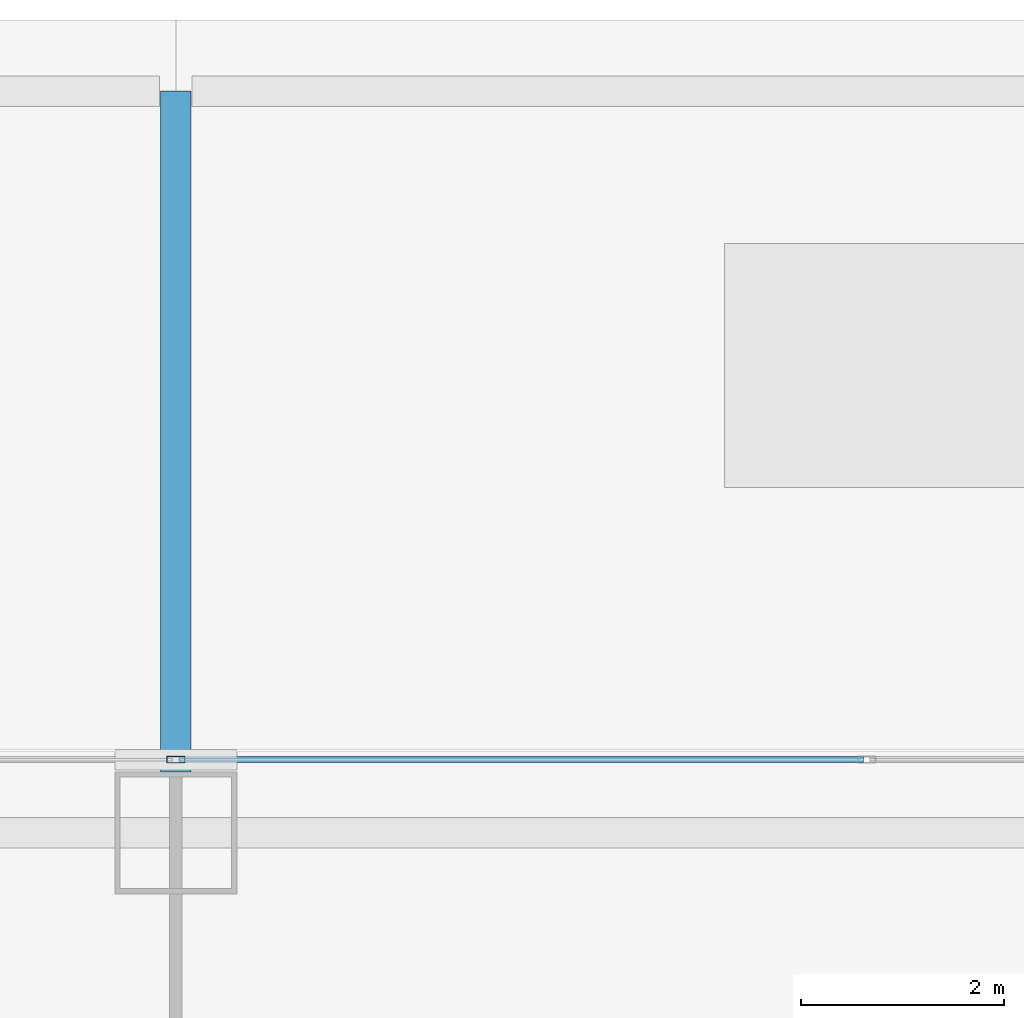
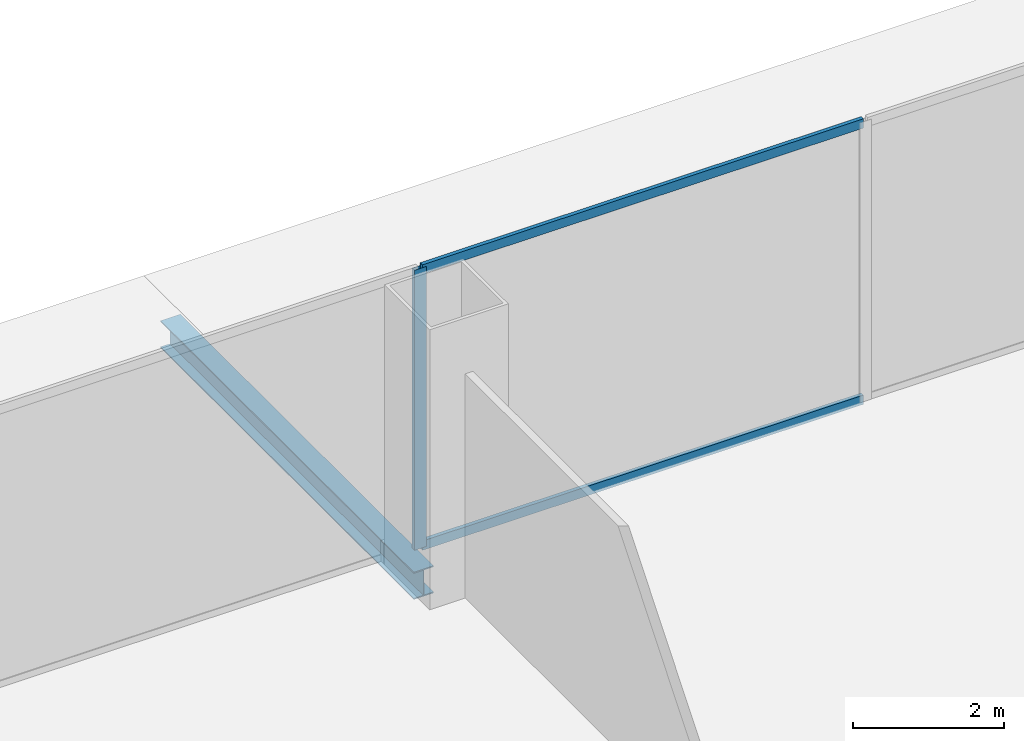
# One storey, part 24 of 42: 3 members, 1 beam, 1 element without a shape of its own.
"""IFC4 building model written with IfcOpenShell, lengths in metres."""

from ifc_helpers import new_model, si_unit, direction, frame, origin, origin_2d, place, context, subcontext, project, spatial, hollow_rectangle, i_section, extrude, source, transform, mapped, material, layer, layer_set, material_profile, profile_set, type_object, element, aggregate, save


model = new_model("IFC4")

# Units and contexts
model_context = context("Model", 3, precision=1e-05, world=origin(), true_north=direction((0.0, 1.0)))
body_context = subcontext(model_context, "Body", "Model", "MODEL_VIEW")
ifc_project = project(units=[si_unit("LENGTHUNIT", "METRE"), si_unit("AREAUNIT", "SQUARE_METRE"), si_unit("VOLUMEUNIT", "CUBIC_METRE"), si_unit("PLANEANGLEUNIT", "RADIAN"), si_unit("MASSUNIT", "GRAM", prefix="KILO"), si_unit("THERMODYNAMICTEMPERATUREUNIT", "KELVIN"), si_unit("POWERUNIT", "WATT")], contexts=[model_context])

# Site, building, storey
site_placement = place(None, origin())
site = spatial("IfcSite", under=ifc_project, at=site_placement, CompositionType="ELEMENT")
building_placement = place(site_placement, origin())
building = spatial("IfcBuilding", under=site, at=building_placement, Name="Yunzhuo Pagoda Commons", CompositionType="ELEMENT")
storey_placement = place(building_placement, frame((0.0, 0.0, 4.800048828125)))
storey = spatial("IfcBuildingStorey", under=building, at=storey_placement, Name="L02", CompositionType="ELEMENT", Elevation=4.800048828125)

# Beam
ifc_material_1 = material(Name="Structural steel Q355B", Category="steel")
ifc_material_profile_1 = material_profile(ifc_material_1, i_section(OverallWidth=0.300048828125, OverallDepth=0.43994140625, WebThickness=0.010986328125, FlangeThickness=0.01806640625, at=origin_2d()), Name="Structural steel Q355B")
ifc_profile_set_1 = profile_set([ifc_material_profile_1], Name="Structural steel Q355B")
beam_type = type_object("IfcBeamType", Name="B-SP2 Beam HM 440x300x11x18", PredefinedType="BEAM", material=ifc_profile_set_1)
shared_shape_1 = source(origin(), body_context, "Body", "SweptSolid", [
    extrude(i_section(OverallWidth=0.300048828125, OverallDepth=0.43994140625, WebThickness=0.010986328125, FlangeThickness=0.01806640625, at=origin_2d()), origin(), (0.0, 0.0, 1.0), 6.699951171875),
])
beam_placement = place(storey_placement, frame((48.0, 89.800048828125, -0.5), z_axis=(0.0, 1.0, 0.0), x_axis=(-1.0, 0.0, 0.0)))
element("IfcBeam", 1, at=beam_placement, inside=storey, type_object=beam_type, Name="North canopy girder 3", PredefinedType="BEAM", context=body_context, shape_type="MappedRepresentation", body=[
    mapped(shared_shape_1, transform((0.0, 0.0, 0.0), scale=1.0)),
])

# Curtain wall, members
ifc_material_2 = material(Name="Anodized aluminium 6063-T6", Category="aluminium")
ifc_layer = layer(ifc_material_2, 0.179931640625)
ifc_layer_set = layer_set([ifc_layer], Name="Anodized aluminium 6063-T6")
curtain_wall_type = type_object("IfcCurtainWallType", Name="CW-POD Waterfront Podium Curtain Wall", PredefinedType="NOTDEFINED", material=ifc_layer_set)
curtain_wall_placement = place(storey_placement, origin())
curtain_wall = element("IfcCurtainWall", 2, at=curtain_wall_placement, inside=storey, type_object=curtain_wall_type, Name="L02 curtain wall CW-L02-N3", PredefinedType="NOTDEFINED")
ifc_material_profile_2 = material_profile(ifc_material_2, hollow_rectangle(XDim=0.06494140625, YDim=0.179931640625, WallThickness=0.00390625, at=origin_2d()), Name="Anodized aluminium 6063-T6")
ifc_profile_set_2 = profile_set([ifc_material_profile_2], Name="Anodized aluminium 6063-T6")
member_type_1 = type_object("IfcMemberType", Name="CW-POD-M Mullion RHS 180x65x4", PredefinedType="MULLION", material=ifc_profile_set_2)
shared_shape_2 = source(origin(), body_context, "Body", "SweptSolid", [
    extrude(hollow_rectangle(XDim=0.06494140625, YDim=0.179931640625, WallThickness=0.00390625, at=origin_2d()), origin(), (0.0, 0.0, 1.0), 4.52001953125),
])
member_1_placement = place(storey_placement, frame((48.0, 89.919921875, 0.0), z_axis=(0.0, 0.0, 1.0), x_axis=(0.0, 1.0, 0.0)))
member_1 = element("IfcMember", 3, at=member_1_placement, type_object=member_type_1, Name="CW mullion 3", PredefinedType="MULLION", context=body_context, shape_type="MappedRepresentation", body=[
    mapped(shared_shape_2, transform((0.0, 0.0, 0.0), scale=1.0)),
])
ifc_material_profile_3 = material_profile(ifc_material_2, hollow_rectangle(XDim=0.06005859375, YDim=0.14990234375, WallThickness=0.00390625, at=origin_2d()), Name="Anodized aluminium 6063-T6")
ifc_profile_set_3 = profile_set([ifc_material_profile_3], Name="Anodized aluminium 6063-T6")
member_type_2 = type_object("IfcMemberType", Name="CW-POD-T Transom RHS 150x60x4", PredefinedType="USERDEFINED", material=ifc_profile_set_3)
shared_shape_3 = source(origin(), body_context, "Body", "SweptSolid", [
    extrude(hollow_rectangle(XDim=0.06005859375, YDim=0.14990234375, WallThickness=0.00390625, at=origin_2d()), origin(), (0.0, 0.0, 1.0), 6.735107421875),
])
member_2_placement = place(storey_placement, frame((48.032470703125, 89.919921875, 0.030029296875), z_axis=(1.0, 0.0, 0.0), x_axis=(0.0, 1.0, 0.0)))
member_2 = element("IfcMember", 4, at=member_2_placement, type_object=member_type_2, Name="CW transom 3.1", ObjectType="TRANSOM", PredefinedType="USERDEFINED", context=body_context, shape_type="MappedRepresentation", body=[
    mapped(shared_shape_3, transform((0.0, 0.0, 0.0), scale=1.0)),
])
member_3_placement = place(storey_placement, frame((48.032470703125, 89.919921875, 4.489990234375), z_axis=(1.0, 0.0, 0.0), x_axis=(0.0, 1.0, 0.0)))
member_3 = element("IfcMember", 5, at=member_3_placement, type_object=member_type_2, Name="CW transom 3.2", ObjectType="TRANSOM", PredefinedType="USERDEFINED", context=body_context, shape_type="MappedRepresentation", body=[
    mapped(shared_shape_3, transform((0.0, 0.0, 0.0), scale=1.0)),
])
aggregate(curtain_wall, [member_1, member_2, member_3])

save(model, "model.ifc")
